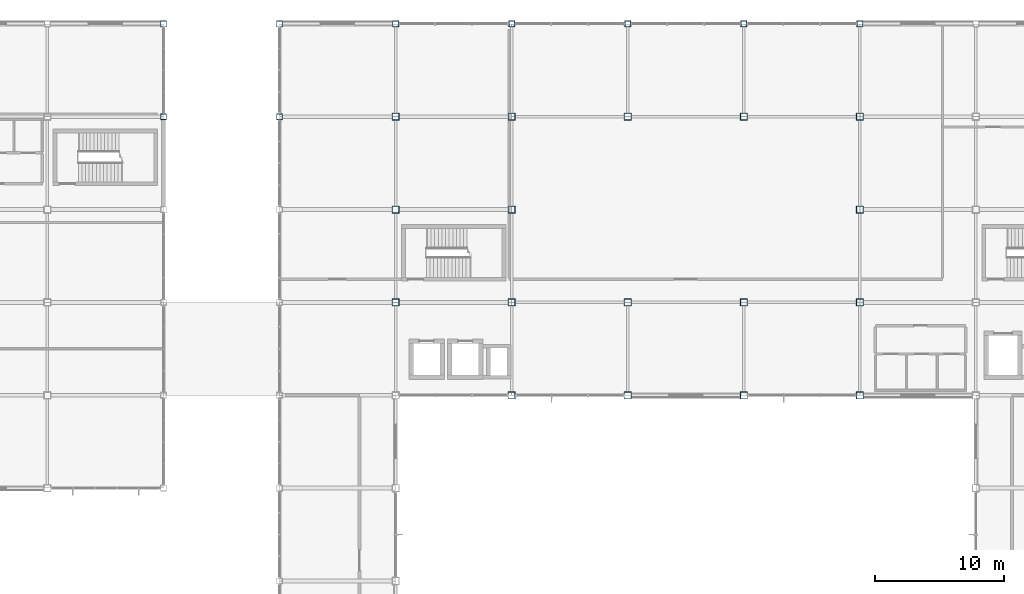
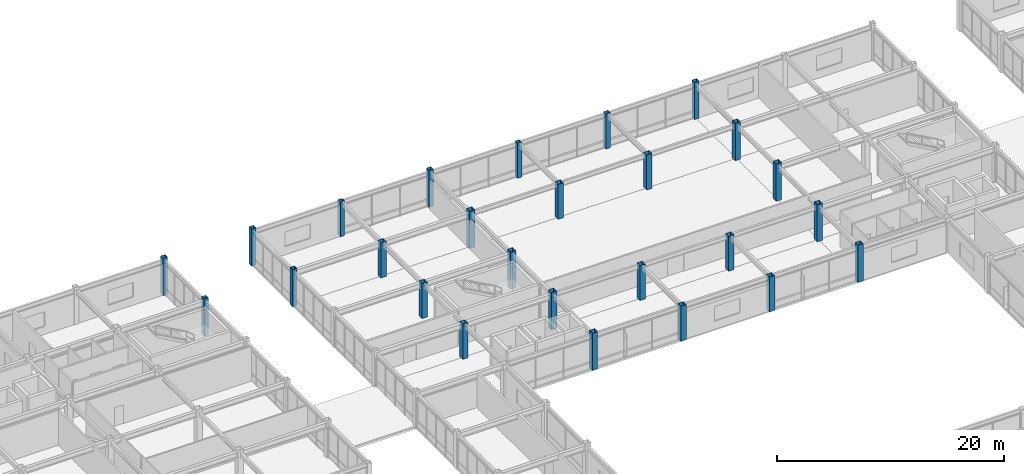
# One storey, part 8 of 113: 26 columns.
"""IFC4 building model written with IfcOpenShell, lengths in metres."""

from ifc_helpers import new_model, si_unit, direction, frame, origin, origin_2d, place, context, subcontext, project, spatial, hollow_rectangle, extrude, material, material_profile, profile_set, type_object, element, save


model = new_model("IFC4")

# Units and contexts
model_context = context("Model", 3, precision=1e-05, world=origin(), true_north=direction((0.0, 1.0)))
body_context = subcontext(model_context, "Body", "Model", "MODEL_VIEW")
ifc_project = project(units=[si_unit("LENGTHUNIT", "METRE"), si_unit("AREAUNIT", "SQUARE_METRE"), si_unit("VOLUMEUNIT", "CUBIC_METRE"), si_unit("PLANEANGLEUNIT", "RADIAN"), si_unit("MASSUNIT", "GRAM", prefix="KILO")], contexts=[model_context])

# Site, building, storey
site_placement = place(None, origin())
site = spatial("IfcSite", under=ifc_project, at=site_placement, CompositionType="ELEMENT")
building_placement = place(site_placement, origin())
building = spatial("IfcBuilding", under=site, at=building_placement, Name="Kazanami Central Library", CompositionType="ELEMENT")
storey_placement = place(building_placement, frame((0.0, 0.0, 8.800048828125)))
storey = spatial("IfcBuildingStorey", under=building, at=storey_placement, Name="L03", CompositionType="ELEMENT", Elevation=8.800048828125)

# Columns
ifc_material = material(Name="Steel BCP325 (325 MPa)", Category="steel")
ifc_material_profile_1 = material_profile(ifc_material, hollow_rectangle(XDim=0.449951171875, YDim=0.449951171875, WallThickness=0.01904296875, at=origin_2d()), Name="BCP-450x450x19")
ifc_profile_set_1 = profile_set([ifc_material_profile_1], Name="Steel BCP325 (325 MPa)")
column_type_1 = type_object("IfcColumnType", Name="COL-C-P2E", PredefinedType="COLUMN", material=ifc_profile_set_1)
for number, where, z_axis, x_axis, name in (
    (1, (36.0, 86.39990234375, 0.0), (0.0, 0.0, 1.0), (1.0, 0.0, 0.0), "Column C-P2E L03 5/N"),
    (2, (36.0, 93.60009765625, 0.0), (0.0, 0.0, 1.0), (1.0, 0.0, 0.0), "Column C-P2E L03 5/O"),
    (3, (45.0, 86.39990234375, 0.0), (0.0, 0.0, 1.0), (1.0, 0.0, 0.0), "Column C-P2E L03 6/N"),
    (4, (45.0, 93.60009765625, 0.0), (0.0, 0.0, 1.0), (1.0, 0.0, 0.0), "Column C-P2E L03 6/O"),
):
    element("IfcColumn", number, at=place(storey_placement, frame(where, z_axis=z_axis, x_axis=x_axis)), inside=storey, type_object=column_type_1, Name=name, PredefinedType="COLUMN", context=body_context, shape_type="SweptSolid", body=[
        extrude(hollow_rectangle(XDim=0.449951171875, YDim=0.449951171875, WallThickness=0.01904296875, at=origin_2d()), origin(), (0.0, 0.0, 1.0), 4.0),
    ])
column_1_placement = place(storey_placement, frame((54.0, 93.60009765625, 0.0), z_axis=(0.0, 0.0, 1.0), x_axis=(1.0, 0.0, 0.0)))
element("IfcColumn", 5, at=column_1_placement, inside=storey, type_object=column_type_1, Name="Column C-P2E L03 7/O", PredefinedType="COLUMN", context=body_context, shape_type="SweptSolid", body=[
    extrude(hollow_rectangle(XDim=0.449951171875, YDim=0.449951171875, WallThickness=0.01904296875, at=origin_2d()), origin(), (0.0, 0.0, 1.0), 3.744873046875),
])
column_2_placement = place(storey_placement, frame((63.0, 93.60009765625, 0.0), z_axis=(0.0, 0.0, 1.0), x_axis=(1.0, 0.0, 0.0)))
element("IfcColumn", 6, at=column_2_placement, inside=storey, type_object=column_type_1, Name="Column C-P2E L03 8/O", PredefinedType="COLUMN", context=body_context, shape_type="SweptSolid", body=[
    extrude(hollow_rectangle(XDim=0.449951171875, YDim=0.449951171875, WallThickness=0.01904296875, at=origin_2d()), origin(), (0.0, 0.0, 1.0), 4.0),
])
for number, where, z_axis, x_axis, name in (
    (7, (72.0, 93.60009765625, 0.0), (0.0, 0.0, 1.0), (1.0, 0.0, 0.0), "Column C-P2E L03 9/O"),
    (8, (81.0, 93.60009765625, 0.0), (0.0, 0.0, 1.0), (1.0, 0.0, 0.0), "Column C-P2E L03 10/O"),
):
    element("IfcColumn", number, at=place(storey_placement, frame(where, z_axis=z_axis, x_axis=x_axis)), inside=storey, type_object=column_type_1, Name=name, PredefinedType="COLUMN", context=body_context, shape_type="SweptSolid", body=[
        extrude(hollow_rectangle(XDim=0.449951171875, YDim=0.449951171875, WallThickness=0.01904296875, at=origin_2d()), origin(), (0.0, 0.0, 1.0), 3.744873046875),
    ])
column_3_placement = place(storey_placement, frame((90.0, 93.60009765625, 0.0), z_axis=(0.0, 0.0, 1.0), x_axis=(1.0, 0.0, 0.0)))
element("IfcColumn", 9, at=column_3_placement, inside=storey, type_object=column_type_1, Name="Column C-P2E L03 11/O", PredefinedType="COLUMN", context=body_context, shape_type="SweptSolid", body=[
    extrude(hollow_rectangle(XDim=0.449951171875, YDim=0.449951171875, WallThickness=0.01904296875, at=origin_2d()), origin(), (0.0, 0.0, 1.0), 4.0),
])
ifc_material_profile_2 = material_profile(ifc_material, hollow_rectangle(XDim=0.550048828125, YDim=0.550048828125, WallThickness=0.02197265625, at=origin_2d()), Name="BCP-550x550x22")
ifc_profile_set_2 = profile_set([ifc_material_profile_2], Name="Steel BCP325 (325 MPa)")
column_type_2 = type_object("IfcColumnType", Name="COL-C-P2I", PredefinedType="COLUMN", material=ifc_profile_set_2)
for number, where, z_axis, x_axis, name in (
    (10, (54.0, 72.0, 0.0), (0.0, 0.0, 1.0), (1.0, 0.0, 0.0), "Column C-P2I L03 7/L"),
    (11, (54.0, 79.199951171875, 0.0), (0.0, 0.0, 1.0), (1.0, 0.0, 0.0), "Column C-P2I L03 7/M"),
    (12, (54.0, 86.39990234375, 0.0), (0.0, 0.0, 1.0), (1.0, 0.0, 0.0), "Column C-P2I L03 7/N"),
):
    element("IfcColumn", number, at=place(storey_placement, frame(where, z_axis=z_axis, x_axis=x_axis)), inside=storey, type_object=column_type_2, Name=name, PredefinedType="COLUMN", context=body_context, shape_type="SweptSolid", body=[
        extrude(hollow_rectangle(XDim=0.550048828125, YDim=0.550048828125, WallThickness=0.02197265625, at=origin_2d()), origin(), (0.0, 0.0, 1.0), 3.744873046875),
    ])
for number, where, z_axis, x_axis, name in (
    (13, (63.0, 64.800048828125, 0.0), (0.0, 0.0, 1.0), (1.0, 0.0, 0.0), "Column C-P2I L03 8/K"),
    (14, (63.0, 72.0, 0.0), (0.0, 0.0, 1.0), (1.0, 0.0, 0.0), "Column C-P2I L03 8/L"),
    (15, (63.0, 79.199951171875, 0.0), (0.0, 0.0, 1.0), (1.0, 0.0, 0.0), "Column C-P2I L03 8/M"),
    (16, (63.0, 86.39990234375, 0.0), (0.0, 0.0, 1.0), (1.0, 0.0, 0.0), "Column C-P2I L03 8/N"),
):
    element("IfcColumn", number, at=place(storey_placement, frame(where, z_axis=z_axis, x_axis=x_axis)), inside=storey, type_object=column_type_2, Name=name, PredefinedType="COLUMN", context=body_context, shape_type="SweptSolid", body=[
        extrude(hollow_rectangle(XDim=0.550048828125, YDim=0.550048828125, WallThickness=0.02197265625, at=origin_2d()), origin(), (0.0, 0.0, 1.0), 4.0),
    ])
for number, where, z_axis, x_axis, name in (
    (17, (72.0, 64.800048828125, 0.0), (0.0, 0.0, 1.0), (1.0, 0.0, 0.0), "Column C-P2I L03 9/K"),
    (18, (72.0, 72.0, 0.0), (0.0, 0.0, 1.0), (1.0, 0.0, 0.0), "Column C-P2I L03 9/L"),
    (19, (72.0, 86.39990234375, 0.0), (0.0, 0.0, 1.0), (1.0, 0.0, 0.0), "Column C-P2I L03 9/N"),
    (20, (81.0, 64.800048828125, 0.0), (0.0, 0.0, 1.0), (1.0, 0.0, 0.0), "Column C-P2I L03 10/K"),
    (21, (81.0, 72.0, 0.0), (0.0, 0.0, 1.0), (1.0, 0.0, 0.0), "Column C-P2I L03 10/L"),
    (22, (81.0, 86.39990234375, 0.0), (0.0, 0.0, 1.0), (1.0, 0.0, 0.0), "Column C-P2I L03 10/N"),
):
    element("IfcColumn", number, at=place(storey_placement, frame(where, z_axis=z_axis, x_axis=x_axis)), inside=storey, type_object=column_type_2, Name=name, PredefinedType="COLUMN", context=body_context, shape_type="SweptSolid", body=[
        extrude(hollow_rectangle(XDim=0.550048828125, YDim=0.550048828125, WallThickness=0.02197265625, at=origin_2d()), origin(), (0.0, 0.0, 1.0), 3.744873046875),
    ])
for number, where, z_axis, x_axis, name in (
    (23, (90.0, 64.800048828125, 0.0), (0.0, 0.0, 1.0), (1.0, 0.0, 0.0), "Column C-P2I L03 11/K"),
    (24, (90.0, 72.0, 0.0), (0.0, 0.0, 1.0), (1.0, 0.0, 0.0), "Column C-P2I L03 11/L"),
    (25, (90.0, 79.199951171875, 0.0), (0.0, 0.0, 1.0), (1.0, 0.0, 0.0), "Column C-P2I L03 11/M"),
    (26, (90.0, 86.39990234375, 0.0), (0.0, 0.0, 1.0), (1.0, 0.0, 0.0), "Column C-P2I L03 11/N"),
):
    element("IfcColumn", number, at=place(storey_placement, frame(where, z_axis=z_axis, x_axis=x_axis)), inside=storey, type_object=column_type_2, Name=name, PredefinedType="COLUMN", context=body_context, shape_type="SweptSolid", body=[
        extrude(hollow_rectangle(XDim=0.550048828125, YDim=0.550048828125, WallThickness=0.02197265625, at=origin_2d()), origin(), (0.0, 0.0, 1.0), 4.0),
    ])

save(model, "model.ifc")
